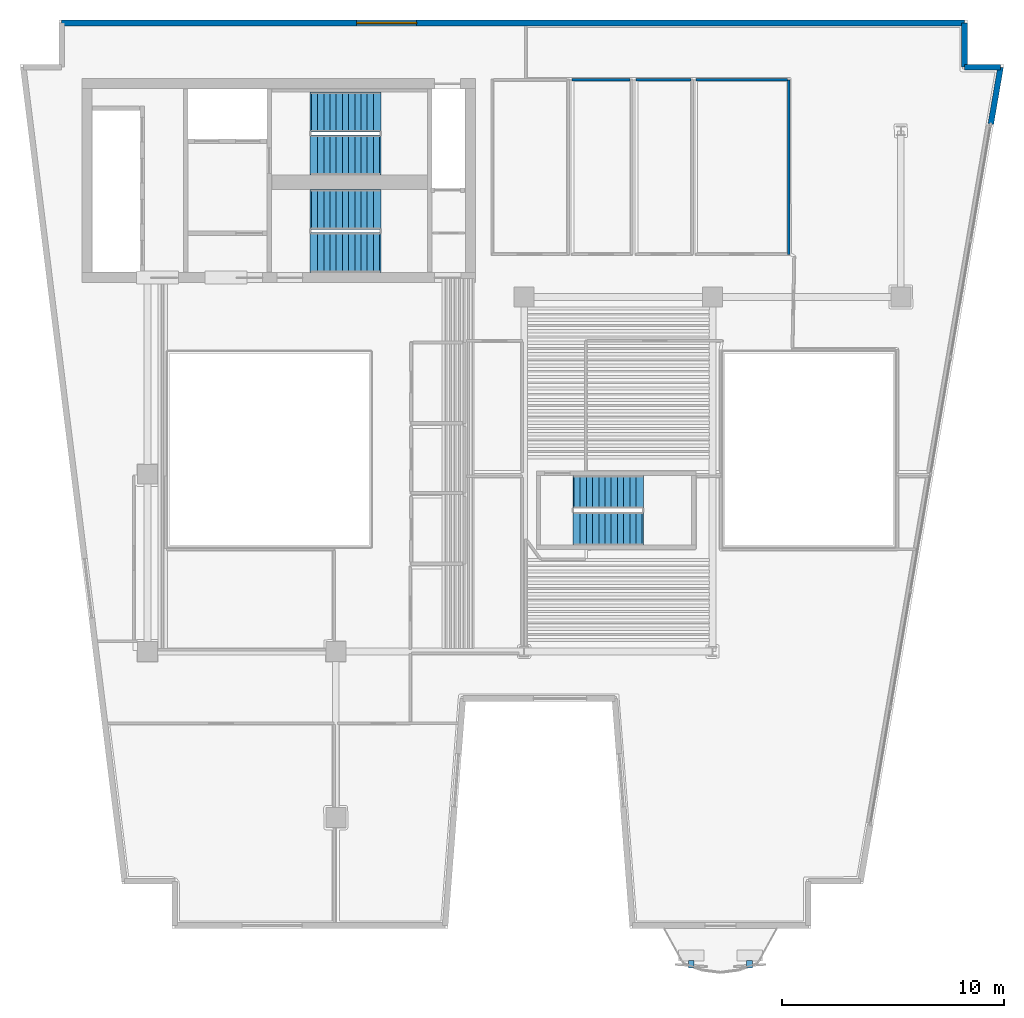
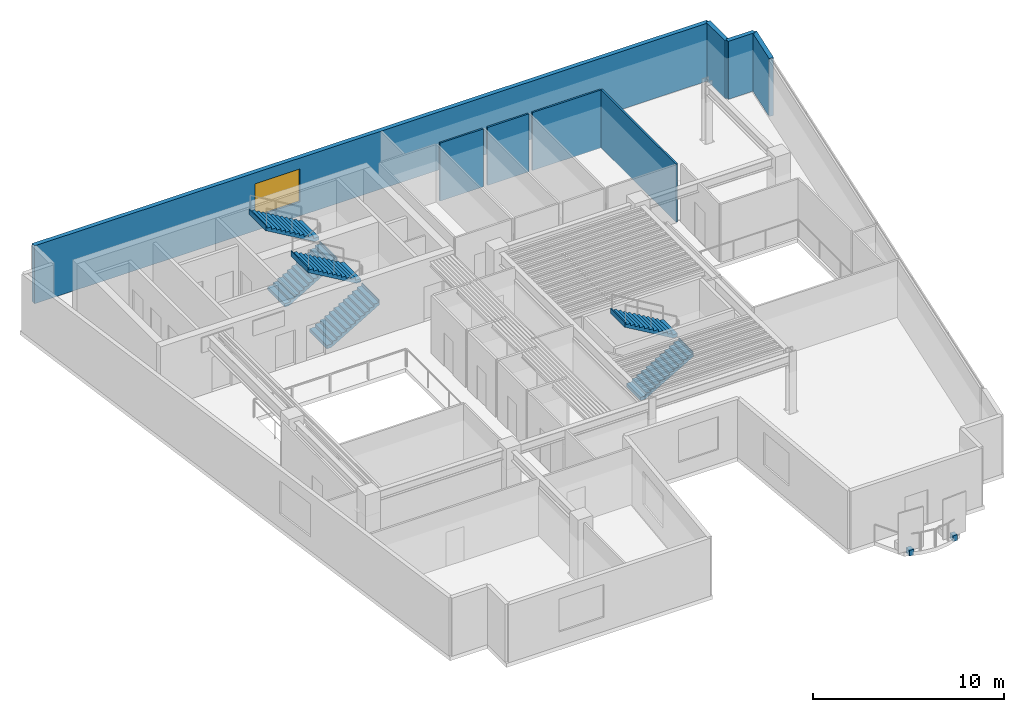
# One storey, part 6 of 10: 8 walls, 6 stair flights, 2 discrete accessories, 1 window, 1 opening, 3 elements without a shape of their own.
"""IFC4 building model written with IfcOpenShell, lengths in metres."""

import ifcopenshell
import ifcopenshell.guid

model = None  # the IFC model being written
_history = None  # IfcOwnerHistory: only IFC2X3 demands one
_inside = {}  # id of a spatial element -> (the spatial element, [elements in it])
_under = {}  # id of a project, library or spatial element -> (it, [spatial elements below it])
_declared = {}  # id of a project -> (the project, [libraries it declares])
_typed = {}  # id of a type object -> (the type object, [elements of that type])
_made_of = {}  # id of a material, layer set ... -> (it, [elements and type objects made of it])


def new_model(schema):
    """Start an empty IFC model of exactly this schema.

    Asked for "IFC4X3", IfcOpenShell would pick the latest addendum, in which some entities
    have other attributes; the version numbers below select the first issue.
    IFC2X3 requires an IfcOwnerHistory on every rooted entity: one is made here for all.
    """
    global model, _history
    if schema == "IFC4X3":
        model = ifcopenshell.file(schema_version=(4, 3, 0, 0))
    else:
        model = ifcopenshell.file(schema=schema)
    _inside.clear()
    _under.clear()
    _declared.clear()
    _typed.clear()
    _made_of.clear()
    _history = None
    if model.schema == "IFC2X3":
        org = make("IfcOrganization", Name="unknown")
        user = make(
            "IfcPersonAndOrganization",
            ThePerson=make("IfcPerson", FamilyName="unknown"),
            TheOrganization=org,
        )
        app = make(
            "IfcApplication",
            ApplicationDeveloper=org,
            Version="unknown",
            ApplicationFullName="unknown",
            ApplicationIdentifier="unknown",
        )
        _history = make(
            "IfcOwnerHistory",
            OwningUser=user,
            OwningApplication=app,
            ChangeAction="ADDED",
            CreationDate=0,
        )
    return model


def make(cls, **values):
    """One entity of the class cls with the attributes given. An attribute that is None is left unset."""
    return model.create_entity(
        cls, **{name: value for name, value in values.items() if value is not None}
    )


def rooted(cls, **values):
    """An entity with a GlobalId (a new one), such as an element, a storey or a relation."""
    return make(cls, GlobalId=ifcopenshell.guid.new(), OwnerHistory=_history, **values)


def si_unit(unit_type, name, prefix=None):
    """IfcSIUnit, for example si_unit("LENGTHUNIT", "METRE", prefix="MILLI")."""
    return make("IfcSIUnit", UnitType=unit_type, Prefix=prefix, Name=name)


def assignment(units):
    """IfcUnitAssignment: the units of a project."""
    return None if units is None else make("IfcUnitAssignment", Units=units)


def point(xyz):
    """IfcCartesianPoint."""
    return None if xyz is None else make("IfcCartesianPoint", Coordinates=xyz)


def direction(xyz):
    """IfcDirection."""
    return None if xyz is None else make("IfcDirection", DirectionRatios=xyz)


def frame(location, z_axis=None, x_axis=None):
    """IfcAxis2Placement3D, a coordinate frame: its origin and axes. An axis left out is left unset."""
    return make(
        "IfcAxis2Placement3D",
        Location=point(location),
        Axis=direction(z_axis),
        RefDirection=direction(x_axis),
    )


def frame_2d(location, x_axis=None):
    """IfcAxis2Placement2D, a coordinate frame in the plane: its origin and x axis."""
    return make(
        "IfcAxis2Placement2D", Location=point(location), RefDirection=direction(x_axis)
    )


def origin():
    """The frame at (0, 0, 0) with its axes left unset."""
    return frame((0.0, 0.0, 0.0))


def origin_2d():
    """The frame at (0, 0) in the plane with its x axis left unset."""
    return frame_2d((0.0, 0.0))


def place(relative_to, where):
    """IfcLocalPlacement: puts the frame where relative to a parent placement (None: the world)."""
    return make(
        "IfcLocalPlacement", PlacementRelTo=relative_to, RelativePlacement=where
    )


def context(
    kind, dimensions, precision=None, world=None, true_north=None, identifier=None
):
    """IfcGeometricRepresentationContext, for example the 3D "Model" context."""
    return make(
        "IfcGeometricRepresentationContext",
        ContextIdentifier=identifier,
        ContextType=kind,
        CoordinateSpaceDimension=dimensions,
        Precision=precision,
        WorldCoordinateSystem=world,
        TrueNorth=true_north,
    )


def subcontext(parent, identifier, kind, view, scale=None):
    """IfcGeometricRepresentationSubContext, for example "Body" below "Model"."""
    return make(
        "IfcGeometricRepresentationSubContext",
        ContextIdentifier=identifier,
        ContextType=kind,
        ParentContext=parent,
        TargetScale=scale,
        TargetView=view,
    )


def project(units=None, contexts=None):
    """IfcProject with its units and contexts."""
    return rooted(
        "IfcProject",
        Name="project",
        RepresentationContexts=contexts,
        UnitsInContext=assignment(units),
    )


def spatial(cls, under=None, at=None, **own):
    """A site, building, storey or space (cls), placed at a placement, below another one or the project."""
    s = rooted(cls, ObjectPlacement=at, **own)
    if under is not None:
        _under.setdefault(under.id(), (under, []))[1].append(s)
    return s


def polyline(points):
    """IfcPolyline through the points."""
    return make("IfcPolyline", Points=[point(p) for p in points])


def profile(cls, at=None, kind="AREA", **sizes):
    """A parametric profile (cls). Its sizes go by their IFC names, for example OverallWidth=200.0."""
    return make(cls, ProfileType=kind, Position=at, **sizes)


def rectangle(**sizes):
    """IfcRectangleProfileDef."""
    return profile("IfcRectangleProfileDef", **sizes)


def outline(outer, holes=None, kind="AREA"):
    """IfcArbitraryClosedProfileDef: a profile drawn as a closed curve; with holes, ...WithVoids."""
    if holes is None:
        return make("IfcArbitraryClosedProfileDef", ProfileType=kind, OuterCurve=outer)
    return make(
        "IfcArbitraryProfileDefWithVoids",
        ProfileType=kind,
        OuterCurve=outer,
        InnerCurves=holes,
    )


def extrude(swept, where, along, depth):
    """IfcExtrudedAreaSolid: the profile swept, set in the frame where, extruded along a direction by depth."""
    return make(
        "IfcExtrudedAreaSolid",
        SweptArea=swept,
        Position=where,
        ExtrudedDirection=direction(along),
        Depth=depth,
    )


def shape(context_of_items, identifier, shape_type, items):
    """IfcShapeRepresentation: the items that make up one representation, for example the "Body"."""
    return make(
        "IfcShapeRepresentation",
        ContextOfItems=context_of_items,
        RepresentationIdentifier=identifier,
        RepresentationType=shape_type,
        Items=items,
    )


def material(Name=None, Category=None):
    """IfcMaterial."""
    return make("IfcMaterial", Name=Name, Category=Category)


def layer(
    of_material, thickness, ventilated=None, Name=None, Category=None, Priority=None
):
    """IfcMaterialLayer: one layer of a wall or slab, of a material (None: an air gap)."""
    return make(
        "IfcMaterialLayer",
        Material=of_material,
        LayerThickness=thickness,
        IsVentilated=ventilated,
        Name=Name,
        Category=Category,
        Priority=Priority,
    )


def layer_set(layers, Name=None):
    """IfcMaterialLayerSet."""
    return make("IfcMaterialLayerSet", MaterialLayers=layers, LayerSetName=Name)


def made_of(thing, what):
    """Note that an element or type object is made of a material, layer set ...; save() writes the relation."""
    if what is not None:
        _made_of.setdefault(what.id(), (what, []))[1].append(thing)
    return thing


def type_object(cls, material=None, **own):
    """A type object (cls), such as IfcWallType, which elements share."""
    return made_of(rooted(cls, **own), material)


def element(
    cls,
    number,
    at=None,
    inside=None,
    cuts=None,
    type_object=None,
    material=None,
    context=None,
    identifier="Body",
    shape_type=None,
    held_by="IfcProductDefinitionShape",
    body=None,
    shapes=None,
    **own,
):
    """One element of the class cls, such as IfcWall. Its Tag is "e" and its number.

    at: its placement. inside: the storey or other place that contains it. cuts: it is an
    opening in that element (IfcRelVoidsElement). A single representation is given by context,
    identifier, shape_type and body (its items); several are given by shapes. held_by: the class
    of the entity that holds the representations. save() writes the other relations.
    """
    e = rooted(cls, Tag="e%d" % number, ObjectPlacement=at, **own)
    if body is not None:
        shapes = [shape(context, identifier, shape_type, body)]
    if shapes is not None:
        e.Representation = make(held_by, Representations=shapes)
    if inside is not None:
        _inside.setdefault(inside.id(), (inside, []))[1].append(e)
    if cuts is not None:
        rooted(
            "IfcRelVoidsElement", RelatingBuildingElement=cuts, RelatedOpeningElement=e
        )
    if type_object is not None:
        _typed.setdefault(type_object.id(), (type_object, []))[1].append(e)
    return made_of(e, material)


def fill(opening, filler):
    """IfcRelFillsElement: the door or window that sits in an opening."""
    return rooted(
        "IfcRelFillsElement",
        RelatingOpeningElement=opening,
        RelatedBuildingElement=filler,
    )


def aggregate(whole, parts):
    """IfcRelAggregates: a whole, such as a stair, and the parts it consists of."""
    return rooted("IfcRelAggregates", RelatingObject=whole, RelatedObjects=parts)


def save(model, path):
    """Write the relations noted so far, then the file.

    IfcRelAggregates (storeys below a building ...), IfcRelContainedInSpatialStructure (elements
    in a storey), IfcRelDefinesByType, IfcRelAssociatesMaterial and IfcRelDeclares: one each for
    every whole, place, type object, material and project.
    """
    for whole, parts in _under.values():
        aggregate(whole, parts)
    for where, things in _inside.values():
        rooted(
            "IfcRelContainedInSpatialStructure",
            RelatedElements=things,
            RelatingStructure=where,
        )
    for kind, things in _typed.values():
        rooted("IfcRelDefinesByType", RelatedObjects=things, RelatingType=kind)
    for what, things in _made_of.values():
        rooted("IfcRelAssociatesMaterial", RelatedObjects=things, RelatingMaterial=what)
    for by, libraries in _declared.values():
        rooted("IfcRelDeclares", RelatingContext=by, RelatedDefinitions=libraries)
    model.write(path)


model = new_model("IFC4")

# Units and contexts
model_context = context("Model", 3, precision=1e-05, world=origin(), true_north=direction((0.0, 1.0)))
body_context = subcontext(model_context, "Body", "Model", "MODEL_VIEW")
ifc_project = project(units=[si_unit("LENGTHUNIT", "METRE"), si_unit("AREAUNIT", "SQUARE_METRE"), si_unit("VOLUMEUNIT", "CUBIC_METRE"), si_unit("PLANEANGLEUNIT", "RADIAN"), si_unit("MASSUNIT", "GRAM", prefix="KILO")], contexts=[model_context])

# Site, building, storey
site_placement = place(None, origin())
site = spatial("IfcSite", under=ifc_project, at=site_placement, CompositionType="ELEMENT")
building_placement = place(site_placement, origin())
building = spatial("IfcBuilding", under=site, at=building_placement, Name="Caeloran Harvest Quay", CompositionType="ELEMENT")
storey_placement = place(building_placement, frame((0.0, 0.0, 187.699951171875)))
storey = spatial("IfcBuildingStorey", under=building, at=storey_placement, Name="L44", CompositionType="ELEMENT", Elevation=187.699951171875)

# Wall, opening, window
ifc_material_1 = material(Name="Precast concrete C50/60", Category="concrete")
ifc_layer_1 = layer(ifc_material_1, 0.260009765625, Name="Precast concrete C50/60")
ifc_layer_set_1 = layer_set([ifc_layer_1], Name="Precast concrete C50/60")
wall_type_1 = type_object("IfcWallType", Name="ENV-WALL-EW-260", PredefinedType="STANDARD", material=ifc_layer_set_1)
wall_1_placement = place(storey_placement, frame((4.6298828125, 43.3701171875, 0.0), z_axis=(0.0, 0.0, 1.0), x_axis=(1.0, 0.0, 0.0)))
wall_1 = element("IfcWall", 1, at=wall_1_placement, inside=storey, type_object=wall_type_1, Name="L44 Exterior Precast Concrete Facade Wall 6", PredefinedType="STANDARD", context=body_context, shape_type="SweptSolid", body=[
    extrude(rectangle(XDim=40.740234375, YDim=0.260009765625, at=frame_2d((20.3701171875, 0.0))), origin(), (0.0, 0.0, 1.0), 3.699951171875),
])
opening_placement = place(wall_1_placement, frame((13.31591796875, 0.0, 0.89990234375)))
opening = element("IfcOpeningElement", 2, at=opening_placement, cuts=wall_1, Name="Opening W-07", PredefinedType="OPENING", context=body_context, shape_type="SweptSolid", body=[
    extrude(rectangle(XDim=2.699951171875, YDim=2.10009765625, at=frame_2d((1.35009765625, 1.050048828125))), frame((0.0, 0.14013671875, 0.0), z_axis=(0.0, -1.0, 0.0), x_axis=(1.0, 0.0, 0.0)), (0.0, 0.0, 1.0), 0.280029296875),
])
ifc_material_2 = material(Name="Aluminium-Framed Low-E Laminated Glass", Category="aluminium")
window_type = type_object("IfcWindowType", Name="WIN-W-07", PartitioningType="DOUBLE_PANEL_VERTICAL", PredefinedType="WINDOW", material=ifc_material_2)
window_placement = place(opening_placement, origin())
window = element("IfcWindow", 3, at=window_placement, inside=storey, type_object=window_type, Name="L44 Facade Punched Window W-07", OverallHeight=2.10009765625, OverallWidth=2.699951171875, PartitioningType="DOUBLE_PANEL_VERTICAL", PredefinedType="WINDOW", context=body_context, shape_type="SweptSolid", body=[
    extrude(rectangle(XDim=2.699951171875, YDim=2.10009765625, at=frame_2d((1.35009765625, 1.050048828125))), frame((0.0, 0.030029296875, 0.0), z_axis=(0.0, -1.0, 0.0), x_axis=(1.0, 0.0, 0.0)), (0.0, 0.0, 1.0), 0.06005859375),
])
fill(opening, window)

# Walls
wall_2_placement = place(storey_placement, frame((45.3701171875, 43.3701171875, 0.0), z_axis=(0.0, 0.0, 1.0), x_axis=(0.0, -1.0, 0.0)))
element("IfcWall", 4, at=wall_2_placement, inside=storey, type_object=wall_type_1, Name="L44 Exterior Precast Concrete Facade Wall 7", PredefinedType="STANDARD", context=body_context, shape_type="SweptSolid", body=[
    extrude(rectangle(XDim=2.0, YDim=0.260009765625, at=frame_2d((1.0, 0.0))), origin(), (0.0, 0.0, 1.0), 3.699951171875),
])
wall_3_placement = place(storey_placement, frame((45.3701171875, 41.3701171875, 0.0), z_axis=(0.0, 0.0, 1.0), x_axis=(1.0, 0.0, 0.0)))
element("IfcWall", 5, at=wall_3_placement, inside=storey, type_object=wall_type_1, Name="L44 Exterior Precast Concrete Facade Wall 8", PredefinedType="STANDARD", context=body_context, shape_type="SweptSolid", body=[
    extrude(rectangle(XDim=1.6318359375, YDim=0.260009765625, at=frame_2d((0.81591796875, 0.0))), origin(), (0.0, 0.0, 1.0), 3.699951171875),
])
wall_4_placement = place(storey_placement, frame((47.001953125, 41.3701171875, 0.0), z_axis=(0.0, 0.0, 1.0), x_axis=(-0.169391215599, -0.98554889076, 0.0)))
element("IfcWall", 6, at=wall_4_placement, inside=storey, type_object=wall_type_1, Name="L44 Exterior Facade Corner Pier Wall 9A", PredefinedType="STANDARD", context=body_context, shape_type="SweptSolid", body=[
    extrude(rectangle(XDim=2.60009765625, YDim=0.260009765625, at=frame_2d((1.300048828125, 0.0))), origin(), (0.0, 0.0, 1.0), 3.699951171875),
])
ifc_material_3 = material(Name="Single-Stud Acoustic Gypsum Office Partition", Category="gypsum")
ifc_layer_2 = layer(ifc_material_3, 0.112060546875, Name="Single-Stud Acoustic Gypsum Office Partition")
ifc_layer_set_2 = layer_set([ifc_layer_2], Name="Single-Stud Acoustic Gypsum Office Partition")
wall_type_2 = type_object("IfcWallType", Name="INT-WALL-PW-112", PredefinedType="PARTITIONING", material=ifc_layer_set_2)
wall_5_placement = place(storey_placement, frame((27.659912109375, 40.800048828125, 0.0), z_axis=(0.0, 0.0, 1.0), x_axis=(1.0, 0.0, 0.0)))
element("IfcWall", 7, at=wall_5_placement, inside=storey, type_object=wall_type_2, Name="L44 Seed Imaging Laboratory Partition Wall", PredefinedType="PARTITIONING", context=body_context, shape_type="SweptSolid", body=[
    extrude(rectangle(XDim=2.629150390625, YDim=0.112060546875, at=frame_2d((1.314453125, 0.0))), origin(), (0.0, 0.0, 1.0), 3.699951171875),
])
wall_6_placement = place(storey_placement, frame((30.550048828125, 40.800048828125, 0.0), z_axis=(0.0, 0.0, 1.0), x_axis=(1.0, 0.0, 0.0)))
element("IfcWall", 8, at=wall_6_placement, inside=storey, type_object=wall_type_2, Name="L44 Genomics Seminar West Room Partition Wall", PredefinedType="PARTITIONING", context=body_context, shape_type="SweptSolid", body=[
    extrude(rectangle(XDim=2.47900390625, YDim=0.112060546875, at=frame_2d((1.239501953125, 0.0))), origin(), (0.0, 0.0, 1.0), 3.699951171875),
])
wall_7_placement = place(storey_placement, frame((37.449951171875, 40.800048828125, 0.0), z_axis=(0.0, 0.0, 1.0), x_axis=(0.0, -1.0, 0.0)))
element("IfcWall", 9, at=wall_7_placement, inside=storey, type_object=wall_type_2, Name="L44 Executive Archive East Studio Partition Wall", PredefinedType="PARTITIONING", context=body_context, shape_type="SweptSolid", body=[
    extrude(rectangle(XDim=7.880126953125, YDim=0.112060546875, at=frame_2d((3.93994140625, 0.0))), origin(), (0.0, 0.0, 1.0), 3.699951171875),
])
wall_8_placement = place(storey_placement, frame((33.25, 40.800048828125, 0.0), z_axis=(0.0, 0.0, 1.0), x_axis=(1.0, 0.0, 0.0)))
element("IfcWall", 10, at=wall_8_placement, inside=storey, type_object=wall_type_2, Name="L44 Executive Archive East Studio Partition Wall", PredefinedType="PARTITIONING", context=body_context, shape_type="SweptSolid", body=[
    extrude(rectangle(XDim=4.138916015625, YDim=0.112060546875, at=frame_2d((2.0693359375, 0.0))), origin(), (0.0, 0.0, 1.0), 3.699951171875),
])

# Stair, stair flights
ifc_material_4 = material(Name="Concrete C50/60", Category="concrete")
stair_type_1 = type_object("IfcStairType", Name="STAIR-STC-180", PredefinedType="HALF_TURN_STAIR", material=ifc_material_4)
stair_1_placement = place(storey_placement, origin())
stair_1 = element("IfcStair", 11, at=stair_1_placement, inside=storey, type_object=stair_type_1, Name="L44 Core Pressurized Exit Stair ST-C1", PredefinedType="HALF_TURN_STAIR")
stair_flight_type_1 = type_object("IfcStairFlightType", Name="FLIGHT-STC-180", PredefinedType="STRAIGHT", material=ifc_material_4)
stair_flight_1_placement = place(storey_placement, frame((15.89990234375, 37.39990234375, 0.0), z_axis=(0.0, 0.0, 1.0), x_axis=(1.0, 0.0, 0.0)))
stair_flight_1 = element("IfcStairFlight", 12, at=stair_flight_1_placement, type_object=stair_flight_type_1, Name="ST-C1 flight 1", NumberOfRisers=12, NumberOfTreads=11, PredefinedType="STRAIGHT", RiserHeight=0.164583333, TreadLength=0.28, context=body_context, shape_type="SweptSolid", body=[
    extrude(outline(polyline([(-0.054931640625, -0.044921875), (-0.054931640625, -0.031982421875), (-0.054931640625, -0.018798828125), (-0.054931640625, -0.005615234375), (-0.054931640625, 0.00732421875), (-0.054931640625, 0.0205078125), (-0.054931640625, 0.03369140625), (-0.054931640625, 0.046630859375), (-0.054931640625, 0.059814453125), (-0.054931640625, 0.072998046875), (-0.054931640625, 0.0859375), (-0.054931640625, 0.09912109375), (-0.054931640625, 0.1123046875), (-0.054931640625, 0.125244140625), (-0.054931640625, 0.138427734375), (-0.054931640625, 0.1513671875), (-0.054931640625, 0.16455078125), (0.280029296875, 0.16455078125), (0.280029296875, 0.3291015625), (0.56005859375, 0.3291015625), (0.56005859375, 0.49365234375), (0.840087890625, 0.49365234375), (0.840087890625, 0.658447265625), (1.1201171875, 0.658447265625), (1.1201171875, 0.822998046875), (1.39990234375, 0.822998046875), (1.39990234375, 0.987548828125), (1.679931640625, 0.987548828125), (1.679931640625, 1.152099609375), (1.9599609375, 1.152099609375), (1.9599609375, 1.316650390625), (2.239990234375, 1.316650390625), (2.239990234375, 1.481201171875), (2.52001953125, 1.481201171875), (2.52001953125, 1.645751953125), (2.800048828125, 1.645751953125), (2.800048828125, 1.810302734375), (3.080078125, 1.810302734375), (3.080078125, 1.97509765625), (3.135009765625, 1.97509765625), (3.135009765625, 1.953857421875), (3.135009765625, 1.9326171875), (3.135009765625, 1.91162109375), (3.135009765625, 1.890380859375), (3.135009765625, 1.869140625), (3.135009765625, 1.84814453125), (3.135009765625, 1.826904296875), (3.135009765625, 1.8056640625), (3.135009765625, 1.78466796875), (3.135009765625, 1.763427734375), (3.135009765625, 1.7421875), (3.135009765625, 1.72119140625), (3.135009765625, 1.699951171875), (3.135009765625, 1.678955078125), (3.135009765625, 1.65771484375), (3.135009765625, 1.636474609375), (3.080078125, 1.636474609375), (0.21923828125, -0.044921875), (-0.054931640625, -0.044921875)])), frame((0.0, 0.89990234375, 0.0), z_axis=(0.0, -1.0, 0.0), x_axis=(1.0, 0.0, 0.0)), (0.0, 0.0, 1.0), 1.800048828125),
])
stair_flight_2_placement = place(storey_placement, frame((18.97998046875, 39.35009765625, 1.97509765625), z_axis=(0.0, 0.0, 1.0), x_axis=(-1.0, 0.0, 0.0)))
stair_flight_2 = element("IfcStairFlight", 13, at=stair_flight_2_placement, type_object=stair_flight_type_1, Name="ST-C1 flight 2", NumberOfRisers=12, NumberOfTreads=11, PredefinedType="STRAIGHT", RiserHeight=0.164583333, TreadLength=0.28, context=body_context, shape_type="SweptSolid", body=[
    extrude(outline(polyline([(-0.054931640625, -0.044921875), (-0.054931640625, -0.031982421875), (-0.054931640625, -0.018798828125), (-0.054931640625, -0.005615234375), (-0.054931640625, 0.00732421875), (-0.054931640625, 0.0205078125), (-0.054931640625, 0.03369140625), (-0.054931640625, 0.046630859375), (-0.054931640625, 0.059814453125), (-0.054931640625, 0.072998046875), (-0.054931640625, 0.0859375), (-0.054931640625, 0.09912109375), (-0.054931640625, 0.1123046875), (-0.054931640625, 0.125244140625), (-0.054931640625, 0.138427734375), (-0.054931640625, 0.1513671875), (-0.054931640625, 0.16455078125), (0.280029296875, 0.16455078125), (0.280029296875, 0.3291015625), (0.56005859375, 0.3291015625), (0.56005859375, 0.49365234375), (0.840087890625, 0.49365234375), (0.840087890625, 0.658447265625), (1.1201171875, 0.658447265625), (1.1201171875, 0.822998046875), (1.39990234375, 0.822998046875), (1.39990234375, 0.987548828125), (1.679931640625, 0.987548828125), (1.679931640625, 1.152099609375), (1.9599609375, 1.152099609375), (1.9599609375, 1.316650390625), (2.239990234375, 1.316650390625), (2.239990234375, 1.481201171875), (2.52001953125, 1.481201171875), (2.52001953125, 1.645751953125), (2.800048828125, 1.645751953125), (2.800048828125, 1.810302734375), (3.080078125, 1.810302734375), (3.080078125, 1.97509765625), (3.135009765625, 1.97509765625), (3.135009765625, 1.953857421875), (3.135009765625, 1.9326171875), (3.135009765625, 1.91162109375), (3.135009765625, 1.890380859375), (3.135009765625, 1.869140625), (3.135009765625, 1.84814453125), (3.135009765625, 1.826904296875), (3.135009765625, 1.8056640625), (3.135009765625, 1.78466796875), (3.135009765625, 1.763427734375), (3.135009765625, 1.7421875), (3.135009765625, 1.72119140625), (3.135009765625, 1.699951171875), (3.135009765625, 1.678955078125), (3.135009765625, 1.65771484375), (3.135009765625, 1.636474609375), (3.080078125, 1.636474609375), (0.21923828125, -0.044921875), (-0.054931640625, -0.044921875)])), frame((0.0, 0.89990234375, 0.0), z_axis=(0.0, -1.0, 0.0), x_axis=(1.0, 0.0, 0.0)), (0.0, 0.0, 1.0), 1.800048828125),
])
aggregate(stair_1, [stair_flight_1, stair_flight_2])

stair_2_placement = place(storey_placement, origin())
stair_2 = element("IfcStair", 14, at=stair_2_placement, inside=storey, type_object=stair_type_1, Name="L44 Core Pressurized Exit Stair ST-C2", PredefinedType="HALF_TURN_STAIR")
stair_flight_3_placement = place(storey_placement, frame((15.89990234375, 33.0, 0.0), z_axis=(0.0, 0.0, 1.0), x_axis=(1.0, 0.0, 0.0)))
stair_flight_3 = element("IfcStairFlight", 15, at=stair_flight_3_placement, type_object=stair_flight_type_1, Name="ST-C2 flight 1", NumberOfRisers=12, NumberOfTreads=11, PredefinedType="STRAIGHT", RiserHeight=0.164583333, TreadLength=0.28, context=body_context, shape_type="SweptSolid", body=[
    extrude(outline(polyline([(-0.054931640625, -0.044921875), (-0.054931640625, -0.031982421875), (-0.054931640625, -0.018798828125), (-0.054931640625, -0.005615234375), (-0.054931640625, 0.00732421875), (-0.054931640625, 0.0205078125), (-0.054931640625, 0.03369140625), (-0.054931640625, 0.046630859375), (-0.054931640625, 0.059814453125), (-0.054931640625, 0.072998046875), (-0.054931640625, 0.0859375), (-0.054931640625, 0.09912109375), (-0.054931640625, 0.1123046875), (-0.054931640625, 0.125244140625), (-0.054931640625, 0.138427734375), (-0.054931640625, 0.1513671875), (-0.054931640625, 0.16455078125), (0.280029296875, 0.16455078125), (0.280029296875, 0.3291015625), (0.56005859375, 0.3291015625), (0.56005859375, 0.49365234375), (0.840087890625, 0.49365234375), (0.840087890625, 0.658447265625), (1.1201171875, 0.658447265625), (1.1201171875, 0.822998046875), (1.39990234375, 0.822998046875), (1.39990234375, 0.987548828125), (1.679931640625, 0.987548828125), (1.679931640625, 1.152099609375), (1.9599609375, 1.152099609375), (1.9599609375, 1.316650390625), (2.239990234375, 1.316650390625), (2.239990234375, 1.481201171875), (2.52001953125, 1.481201171875), (2.52001953125, 1.645751953125), (2.800048828125, 1.645751953125), (2.800048828125, 1.810302734375), (3.080078125, 1.810302734375), (3.080078125, 1.97509765625), (3.135009765625, 1.97509765625), (3.135009765625, 1.953857421875), (3.135009765625, 1.9326171875), (3.135009765625, 1.91162109375), (3.135009765625, 1.890380859375), (3.135009765625, 1.869140625), (3.135009765625, 1.84814453125), (3.135009765625, 1.826904296875), (3.135009765625, 1.8056640625), (3.135009765625, 1.78466796875), (3.135009765625, 1.763427734375), (3.135009765625, 1.7421875), (3.135009765625, 1.72119140625), (3.135009765625, 1.699951171875), (3.135009765625, 1.678955078125), (3.135009765625, 1.65771484375), (3.135009765625, 1.636474609375), (3.080078125, 1.636474609375), (0.21923828125, -0.044921875), (-0.054931640625, -0.044921875)])), frame((0.0, 0.89990234375, 0.0), z_axis=(0.0, -1.0, 0.0), x_axis=(1.0, 0.0, 0.0)), (0.0, 0.0, 1.0), 1.800048828125),
])
stair_flight_4_placement = place(storey_placement, frame((18.97998046875, 34.949951171875, 1.97509765625), z_axis=(0.0, 0.0, 1.0), x_axis=(-1.0, 0.0, 0.0)))
stair_flight_4 = element("IfcStairFlight", 16, at=stair_flight_4_placement, type_object=stair_flight_type_1, Name="ST-C2 flight 2", NumberOfRisers=12, NumberOfTreads=11, PredefinedType="STRAIGHT", RiserHeight=0.164583333, TreadLength=0.28, context=body_context, shape_type="SweptSolid", body=[
    extrude(outline(polyline([(-0.054931640625, -0.044921875), (-0.054931640625, -0.031982421875), (-0.054931640625, -0.018798828125), (-0.054931640625, -0.005615234375), (-0.054931640625, 0.00732421875), (-0.054931640625, 0.0205078125), (-0.054931640625, 0.03369140625), (-0.054931640625, 0.046630859375), (-0.054931640625, 0.059814453125), (-0.054931640625, 0.072998046875), (-0.054931640625, 0.0859375), (-0.054931640625, 0.09912109375), (-0.054931640625, 0.1123046875), (-0.054931640625, 0.125244140625), (-0.054931640625, 0.138427734375), (-0.054931640625, 0.1513671875), (-0.054931640625, 0.16455078125), (0.280029296875, 0.16455078125), (0.280029296875, 0.3291015625), (0.56005859375, 0.3291015625), (0.56005859375, 0.49365234375), (0.840087890625, 0.49365234375), (0.840087890625, 0.658447265625), (1.1201171875, 0.658447265625), (1.1201171875, 0.822998046875), (1.39990234375, 0.822998046875), (1.39990234375, 0.987548828125), (1.679931640625, 0.987548828125), (1.679931640625, 1.152099609375), (1.9599609375, 1.152099609375), (1.9599609375, 1.316650390625), (2.239990234375, 1.316650390625), (2.239990234375, 1.481201171875), (2.52001953125, 1.481201171875), (2.52001953125, 1.645751953125), (2.800048828125, 1.645751953125), (2.800048828125, 1.810302734375), (3.080078125, 1.810302734375), (3.080078125, 1.97509765625), (3.135009765625, 1.97509765625), (3.135009765625, 1.953857421875), (3.135009765625, 1.9326171875), (3.135009765625, 1.91162109375), (3.135009765625, 1.890380859375), (3.135009765625, 1.869140625), (3.135009765625, 1.84814453125), (3.135009765625, 1.826904296875), (3.135009765625, 1.8056640625), (3.135009765625, 1.78466796875), (3.135009765625, 1.763427734375), (3.135009765625, 1.7421875), (3.135009765625, 1.72119140625), (3.135009765625, 1.699951171875), (3.135009765625, 1.678955078125), (3.135009765625, 1.65771484375), (3.135009765625, 1.636474609375), (3.080078125, 1.636474609375), (0.21923828125, -0.044921875), (-0.054931640625, -0.044921875)])), frame((0.0, 0.89990234375, 0.0), z_axis=(0.0, -1.0, 0.0), x_axis=(1.0, 0.0, 0.0)), (0.0, 0.0, 1.0), 1.800048828125),
])
aggregate(stair_2, [stair_flight_3, stair_flight_4])

stair_type_2 = type_object("IfcStairType", Name="STAIR-STW-150", PredefinedType="HALF_TURN_STAIR", material=ifc_material_4)
stair_3_placement = place(storey_placement, origin())
stair_3 = element("IfcStair", 17, at=stair_3_placement, inside=storey, type_object=stair_type_2, Name="L44 East Wing Protected Exit Stair ST-W1", PredefinedType="HALF_TURN_STAIR")
stair_flight_type_2 = type_object("IfcStairFlightType", Name="FLIGHT-STW-150", PredefinedType="STRAIGHT", material=ifc_material_4)
stair_flight_5_placement = place(storey_placement, frame((27.75, 20.550048828125, 0.0), z_axis=(0.0, 0.0, 1.0), x_axis=(1.0, 0.0, 0.0)))
stair_flight_5 = element("IfcStairFlight", 18, at=stair_flight_5_placement, type_object=stair_flight_type_2, Name="ST-W1 flight 1", NumberOfRisers=12, NumberOfTreads=11, PredefinedType="STRAIGHT", RiserHeight=0.164583333, TreadLength=0.28, context=body_context, shape_type="SweptSolid", body=[
    extrude(outline(polyline([(-0.054931640625, -0.044921875), (-0.054931640625, -0.031982421875), (-0.054931640625, -0.018798828125), (-0.054931640625, -0.005615234375), (-0.054931640625, 0.00732421875), (-0.054931640625, 0.0205078125), (-0.054931640625, 0.03369140625), (-0.054931640625, 0.046630859375), (-0.054931640625, 0.059814453125), (-0.054931640625, 0.072998046875), (-0.054931640625, 0.0859375), (-0.054931640625, 0.09912109375), (-0.054931640625, 0.1123046875), (-0.054931640625, 0.125244140625), (-0.054931640625, 0.138427734375), (-0.054931640625, 0.1513671875), (-0.054931640625, 0.16455078125), (0.280029296875, 0.16455078125), (0.280029296875, 0.3291015625), (0.56005859375, 0.3291015625), (0.56005859375, 0.49365234375), (0.840087890625, 0.49365234375), (0.840087890625, 0.658447265625), (1.1201171875, 0.658447265625), (1.1201171875, 0.822998046875), (1.39990234375, 0.822998046875), (1.39990234375, 0.987548828125), (1.679931640625, 0.987548828125), (1.679931640625, 1.152099609375), (1.9599609375, 1.152099609375), (1.9599609375, 1.316650390625), (2.239990234375, 1.316650390625), (2.239990234375, 1.481201171875), (2.52001953125, 1.481201171875), (2.52001953125, 1.645751953125), (2.800048828125, 1.645751953125), (2.800048828125, 1.810302734375), (3.080078125, 1.810302734375), (3.080078125, 1.97509765625), (3.135009765625, 1.97509765625), (3.135009765625, 1.953857421875), (3.135009765625, 1.9326171875), (3.135009765625, 1.91162109375), (3.135009765625, 1.890380859375), (3.135009765625, 1.869140625), (3.135009765625, 1.84814453125), (3.135009765625, 1.826904296875), (3.135009765625, 1.8056640625), (3.135009765625, 1.78466796875), (3.135009765625, 1.763427734375), (3.135009765625, 1.7421875), (3.135009765625, 1.72119140625), (3.135009765625, 1.699951171875), (3.135009765625, 1.678955078125), (3.135009765625, 1.65771484375), (3.135009765625, 1.636474609375), (3.080078125, 1.636474609375), (0.21923828125, -0.044921875), (-0.054931640625, -0.044921875)])), frame((0.0, 0.75, 0.0), z_axis=(0.0, -1.0, 0.0), x_axis=(1.0, 0.0, 0.0)), (0.0, 0.0, 1.0), 1.5),
])
stair_flight_6_placement = place(storey_placement, frame((30.830078125, 22.199951171875, 1.97509765625), z_axis=(0.0, 0.0, 1.0), x_axis=(-1.0, 0.0, 0.0)))
stair_flight_6 = element("IfcStairFlight", 19, at=stair_flight_6_placement, type_object=stair_flight_type_2, Name="ST-W1 flight 2", NumberOfRisers=12, NumberOfTreads=11, PredefinedType="STRAIGHT", RiserHeight=0.164583333, TreadLength=0.28, context=body_context, shape_type="SweptSolid", body=[
    extrude(outline(polyline([(-0.054931640625, -0.044921875), (-0.054931640625, -0.031982421875), (-0.054931640625, -0.018798828125), (-0.054931640625, -0.005615234375), (-0.054931640625, 0.00732421875), (-0.054931640625, 0.0205078125), (-0.054931640625, 0.03369140625), (-0.054931640625, 0.046630859375), (-0.054931640625, 0.059814453125), (-0.054931640625, 0.072998046875), (-0.054931640625, 0.0859375), (-0.054931640625, 0.09912109375), (-0.054931640625, 0.1123046875), (-0.054931640625, 0.125244140625), (-0.054931640625, 0.138427734375), (-0.054931640625, 0.1513671875), (-0.054931640625, 0.16455078125), (0.280029296875, 0.16455078125), (0.280029296875, 0.3291015625), (0.56005859375, 0.3291015625), (0.56005859375, 0.49365234375), (0.840087890625, 0.49365234375), (0.840087890625, 0.658447265625), (1.1201171875, 0.658447265625), (1.1201171875, 0.822998046875), (1.39990234375, 0.822998046875), (1.39990234375, 0.987548828125), (1.679931640625, 0.987548828125), (1.679931640625, 1.152099609375), (1.9599609375, 1.152099609375), (1.9599609375, 1.316650390625), (2.239990234375, 1.316650390625), (2.239990234375, 1.481201171875), (2.52001953125, 1.481201171875), (2.52001953125, 1.645751953125), (2.800048828125, 1.645751953125), (2.800048828125, 1.810302734375), (3.080078125, 1.810302734375), (3.080078125, 1.97509765625), (3.135009765625, 1.97509765625), (3.135009765625, 1.953857421875), (3.135009765625, 1.9326171875), (3.135009765625, 1.91162109375), (3.135009765625, 1.890380859375), (3.135009765625, 1.869140625), (3.135009765625, 1.84814453125), (3.135009765625, 1.826904296875), (3.135009765625, 1.8056640625), (3.135009765625, 1.78466796875), (3.135009765625, 1.763427734375), (3.135009765625, 1.7421875), (3.135009765625, 1.72119140625), (3.135009765625, 1.699951171875), (3.135009765625, 1.678955078125), (3.135009765625, 1.65771484375), (3.135009765625, 1.636474609375), (3.080078125, 1.636474609375), (0.21923828125, -0.044921875), (-0.054931640625, -0.044921875)])), frame((0.0, 0.75, 0.0), z_axis=(0.0, -1.0, 0.0), x_axis=(1.0, 0.0, 0.0)), (0.0, 0.0, 1.0), 1.5),
])
aggregate(stair_3, [stair_flight_5, stair_flight_6])

# Discrete accessories
ifc_material_5 = material(Name="Stainless Steel Grade 316L", Category="steel")
discrete_accessory_type = type_object("IfcDiscreteAccessoryType", Name="BRACKET-SCREEN-SS", PredefinedType="BRACKET", material=ifc_material_5)
for number, where, z_axis, x_axis, name in (
    (20, (35.676513671875, 0.888671875, -0.22021484375), (0.0, 0.0, 1.0), (1.0, 0.0, 0.0), "L44 Balcony Screen Support Bracket 1"),
    (21, (33.03662109375, 0.888671875, -0.22021484375), (0.0, 0.0, 1.0), (1.0, 0.0, 0.0), "L44 Balcony Screen Support Bracket 2"),
):
    element("IfcDiscreteAccessory", number, at=place(storey_placement, frame(where, z_axis=z_axis, x_axis=x_axis)), inside=storey, type_object=discrete_accessory_type, Name=name, PredefinedType="BRACKET", context=body_context, shape_type="SweptSolid", body=[
        extrude(rectangle(XDim=0.260009765625, YDim=0.340087890625, at=origin_2d()), origin(), (0.0, 0.0, 1.0), 0.360107421875),
    ])

save(model, "model.ifc")
